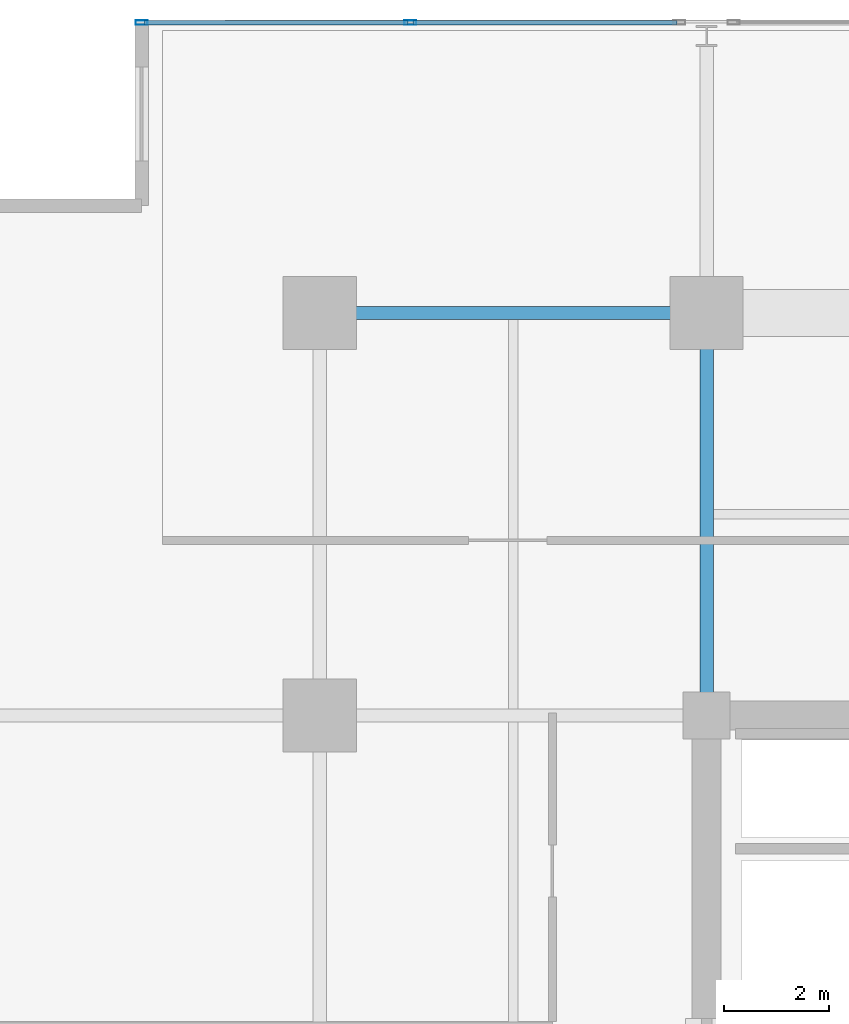
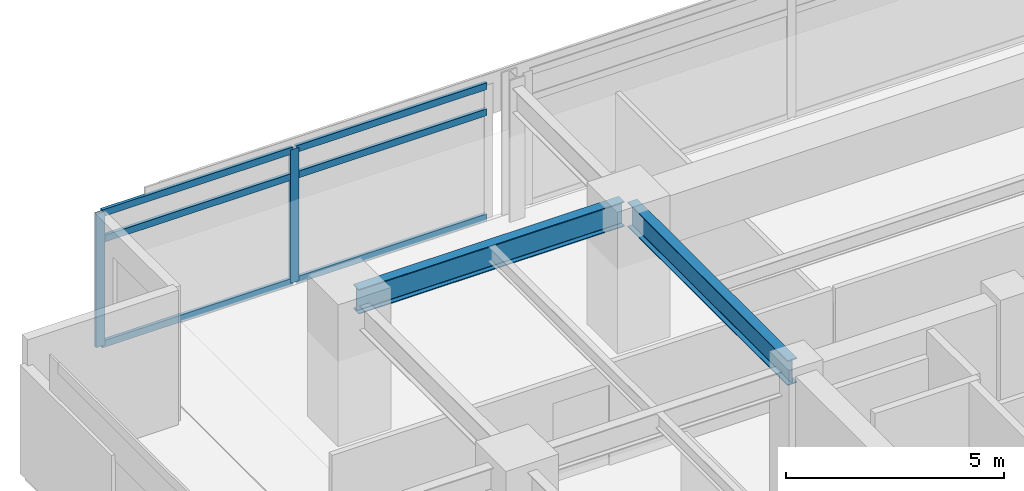
# One storey, part 6 of 22: 8 members, 2 beams, 1 element without a shape of its own.
"""IFC4 building model written with IfcOpenShell, lengths in metres."""

from ifc_helpers import new_model, si_unit, direction, frame, origin, origin_2d, place, context, subcontext, project, spatial, hollow_rectangle, i_section, extrude, material, material_profile, profile_set, type_object, element, aggregate, save


model = new_model("IFC4")

# Units and contexts
model_context = context("Model", 3, precision=1e-05, world=origin(), true_north=direction((0.0, 1.0)))
body_context = subcontext(model_context, "Body", "Model", "MODEL_VIEW")
ifc_project = project(units=[si_unit("LENGTHUNIT", "METRE"), si_unit("AREAUNIT", "SQUARE_METRE"), si_unit("VOLUMEUNIT", "CUBIC_METRE"), si_unit("PLANEANGLEUNIT", "RADIAN"), si_unit("MASSUNIT", "GRAM", prefix="KILO")], contexts=[model_context])

# Site, building, storey
site_placement = place(None, origin())
site = spatial("IfcSite", under=ifc_project, at=site_placement, CompositionType="ELEMENT")
building_placement = place(site_placement, origin())
building = spatial("IfcBuilding", under=site, at=building_placement, Name="Kovane Verandah Tower", CompositionType="ELEMENT")
storey_placement = place(building_placement, frame((0.0, 0.0, 225.199951171875)))
storey = spatial("IfcBuildingStorey", under=building, at=storey_placement, Name="L52", CompositionType="ELEMENT", Elevation=225.199951171875)

# Beams
ifc_material_1 = material(Name="Steel S355", Category="steel")
ifc_material_profile_1 = material_profile(ifc_material_1, i_section(OverallWidth=0.255859375, OverallDepth=0.69287109375, WebThickness=0.014404296875, FlangeThickness=0.023681640625, FilletRadius=0.01513671875, at=origin_2d()), Name="UB686x254x170")
ifc_profile_set_1 = profile_set([ifc_material_profile_1], Name="Steel S355")
beam_type = type_object("IfcBeamType", Name="BM-UB686x170", PredefinedType="BEAM", material=ifc_profile_set_1)
beam_1_placement = place(storey_placement, frame((21.780029296875, 44.199951171875, 3.428466796875), z_axis=(1.0, 0.0, 0.0), x_axis=(0.0, 1.0, 0.0)))
element("IfcBeam", 1, at=beam_1_placement, inside=storey, type_object=beam_type, Name="L52 Primary Tower Girder G-RN1", PredefinedType="BEAM", context=body_context, shape_type="SweptSolid", body=[
    extrude(i_section(OverallWidth=0.255859375, OverallDepth=0.69287109375, WebThickness=0.014404296875, FlangeThickness=0.023681640625, FilletRadius=0.01513671875, at=origin_2d()), origin(), (0.0, 0.0, 1.0), 7.0400390625),
])
beam_2_placement = place(storey_placement, frame((29.0, 36.679931640625, 3.428466796875), z_axis=(0.0, 1.0, 0.0), x_axis=(-1.0, 0.0, 0.0)))
element("IfcBeam", 2, at=beam_2_placement, inside=storey, type_object=beam_type, Name="L52 Primary Tower Girder G-N1", PredefinedType="BEAM", context=body_context, shape_type="SweptSolid", body=[
    extrude(i_section(OverallWidth=0.255859375, OverallDepth=0.69287109375, WebThickness=0.014404296875, FlangeThickness=0.023681640625, FilletRadius=0.01513671875, at=origin_2d()), origin(), (0.0, 0.0, 1.0), 7.340087890625),
])

# Curtain wall, members
ifc_material_2 = material(Name="Champagne Anodised Aluminium Frame with Low-E Clear Laminated Glass", Category="aluminium")
curtain_wall_type = type_object("IfcCurtainWallType", Name="CW-SYS-03-MID", PredefinedType="NOTDEFINED", material=ifc_material_2)
curtain_wall_placement = place(storey_placement, origin())
curtain_wall = element("IfcCurtainWall", 3, at=curtain_wall_placement, inside=storey, type_object=curtain_wall_type, Name="L52 N Unitised Curtain Wall-3", PredefinedType="NOTDEFINED")
ifc_material_3 = material(Name="Champagne Anodised Aluminium 6063-T6", Category="aluminium")
ifc_material_profile_2 = material_profile(ifc_material_3, hollow_rectangle(XDim=0.0849609375, YDim=0.22998046875, WallThickness=0.00390625, at=origin_2d()), Name="AL85x230x4")
ifc_profile_set_2 = profile_set([ifc_material_profile_2], Name="Champagne Anodised Aluminium 6063-T6")
member_type_1 = type_object("IfcMemberType", Name="CW-MUL-85x230", PredefinedType="MULLION", material=ifc_profile_set_2)
member_1_placement = place(storey_placement, frame((23.335205078125, 49.75634765625, 0.02001953125), z_axis=(0.0, 0.0, 1.0), x_axis=(0.0, 1.0, 0.0)))
member_1 = element("IfcMember", 4, at=member_1_placement, type_object=member_type_1, Name="L52 N Unitised Curtain Wall-3 Mullion 2", PredefinedType="MULLION", context=body_context, shape_type="SweptSolid", body=[
    extrude(hollow_rectangle(XDim=0.0849609375, YDim=0.22998046875, WallThickness=0.00390625, at=origin_2d()), origin(), (0.0, 0.0, 1.0), 3.735107421875),
])
member_2_placement = place(storey_placement, frame((18.190185546875, 49.75634765625, 0.02001953125), z_axis=(0.0, 0.0, 1.0), x_axis=(0.0, 1.0, 0.0)))
member_2 = element("IfcMember", 5, at=member_2_placement, type_object=member_type_1, Name="L52 N Unitised Curtain Wall-3 Mullion 3", PredefinedType="MULLION", context=body_context, shape_type="SweptSolid", body=[
    extrude(hollow_rectangle(XDim=0.0849609375, YDim=0.22998046875, WallThickness=0.00390625, at=origin_2d()), origin(), (0.0, 0.0, 1.0), 3.735107421875),
])
ifc_material_profile_3 = material_profile(ifc_material_3, hollow_rectangle(XDim=0.0849609375, YDim=0.18994140625, WallThickness=0.00390625, at=origin_2d()), Name="AL85x190x4")
ifc_profile_set_3 = profile_set([ifc_material_profile_3], Name="Champagne Anodised Aluminium 6063-T6")
member_type_2 = type_object("IfcMemberType", Name="CW-TRN-85x190", PredefinedType="USERDEFINED", material=ifc_profile_set_3)
member_3_placement = place(storey_placement, frame((28.429931640625, 49.75634765625, 0.050048828125), z_axis=(-1.0, 0.0, 0.0), x_axis=(0.0, -1.0, 0.0)))
member_3 = element("IfcMember", 6, at=member_3_placement, type_object=member_type_2, Name="L52 N Unitised Curtain Wall-3 Transom TB Bay 1", ObjectType="TRANSOM", PredefinedType="USERDEFINED", context=body_context, shape_type="SweptSolid", body=[
    extrude(hollow_rectangle(XDim=0.0849609375, YDim=0.18994140625, WallThickness=0.00390625, at=origin_2d()), origin(), (0.0, 0.0, 1.0), 5.044921875),
])
member_4_placement = place(storey_placement, frame((28.429931640625, 49.75634765625, 2.9951171875), z_axis=(-1.0, 0.0, 0.0), x_axis=(0.0, -1.0, 0.0)))
member_4 = element("IfcMember", 7, at=member_4_placement, type_object=member_type_2, Name="L52 N Unitised Curtain Wall-3 Transom TM Bay 1", ObjectType="TRANSOM", PredefinedType="USERDEFINED", context=body_context, shape_type="SweptSolid", body=[
    extrude(hollow_rectangle(XDim=0.0849609375, YDim=0.18994140625, WallThickness=0.00390625, at=origin_2d()), origin(), (0.0, 0.0, 1.0), 5.044921875),
])
member_5_placement = place(storey_placement, frame((28.429931640625, 49.75634765625, 3.72509765625), z_axis=(-1.0, 0.0, 0.0), x_axis=(0.0, -1.0, 0.0)))
member_5 = element("IfcMember", 8, at=member_5_placement, type_object=member_type_2, Name="L52 N Unitised Curtain Wall-3 Transom TT Bay 1", ObjectType="TRANSOM", PredefinedType="USERDEFINED", context=body_context, shape_type="SweptSolid", body=[
    extrude(hollow_rectangle(XDim=0.0849609375, YDim=0.18994140625, WallThickness=0.00390625, at=origin_2d()), origin(), (0.0, 0.0, 1.0), 5.044921875),
])
member_6_placement = place(storey_placement, frame((23.28515625, 49.75634765625, 0.050048828125), z_axis=(-1.0, 0.0, 0.0), x_axis=(0.0, -1.0, 0.0)))
member_6 = element("IfcMember", 9, at=member_6_placement, type_object=member_type_2, Name="L52 N Unitised Curtain Wall-3 Transom TB Bay 2", ObjectType="TRANSOM", PredefinedType="USERDEFINED", context=body_context, shape_type="SweptSolid", body=[
    extrude(hollow_rectangle(XDim=0.0849609375, YDim=0.18994140625, WallThickness=0.00390625, at=origin_2d()), origin(), (0.0, 0.0, 1.0), 5.044921875),
])
member_7_placement = place(storey_placement, frame((23.28515625, 49.75634765625, 2.9951171875), z_axis=(-1.0, 0.0, 0.0), x_axis=(0.0, -1.0, 0.0)))
member_7 = element("IfcMember", 10, at=member_7_placement, type_object=member_type_2, Name="L52 N Unitised Curtain Wall-3 Transom TM Bay 2", ObjectType="TRANSOM", PredefinedType="USERDEFINED", context=body_context, shape_type="SweptSolid", body=[
    extrude(hollow_rectangle(XDim=0.0849609375, YDim=0.18994140625, WallThickness=0.00390625, at=origin_2d()), origin(), (0.0, 0.0, 1.0), 5.044921875),
])
member_8_placement = place(storey_placement, frame((23.28515625, 49.75634765625, 3.72509765625), z_axis=(-1.0, 0.0, 0.0), x_axis=(0.0, -1.0, 0.0)))
member_8 = element("IfcMember", 11, at=member_8_placement, type_object=member_type_2, Name="L52 N Unitised Curtain Wall-3 Transom TT Bay 2", ObjectType="TRANSOM", PredefinedType="USERDEFINED", context=body_context, shape_type="SweptSolid", body=[
    extrude(hollow_rectangle(XDim=0.0849609375, YDim=0.18994140625, WallThickness=0.00390625, at=origin_2d()), origin(), (0.0, 0.0, 1.0), 5.044921875),
])
aggregate(curtain_wall, [member_1, member_2, member_3, member_4, member_5, member_6, member_7, member_8])

save(model, "model.ifc")
